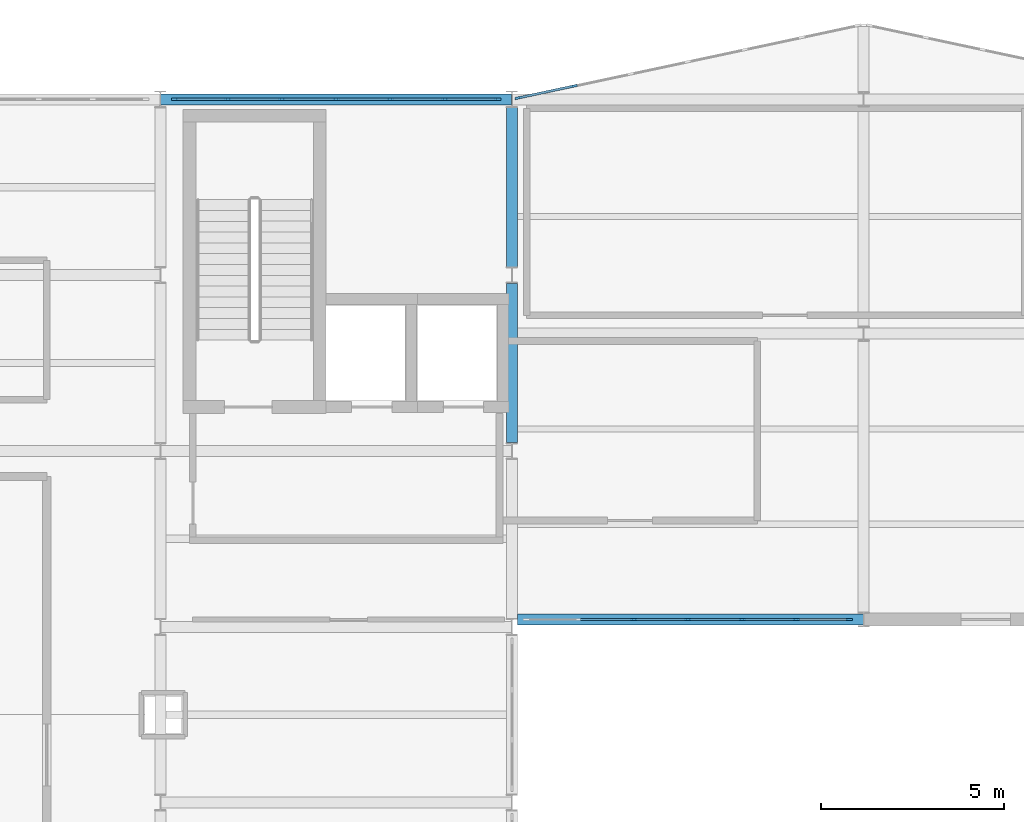
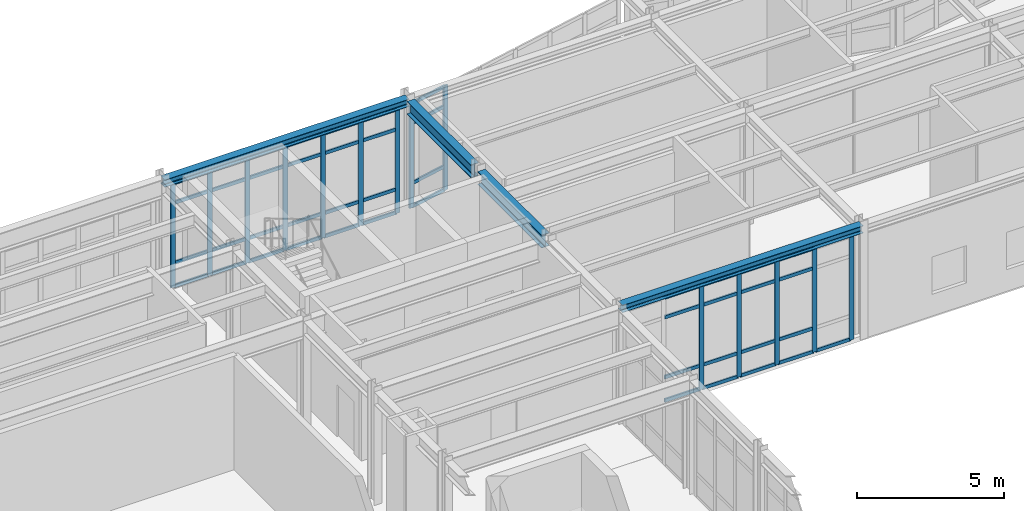
# One storey, part 9 of 28: 59 members, 4 beams, 3 elements without a shape of their own.
"""IFC4 building model written with IfcOpenShell, lengths in metres."""

import ifcopenshell
import ifcopenshell.guid

model = None  # the IFC model being written
_history = None  # IfcOwnerHistory: only IFC2X3 demands one
_inside = {}  # id of a spatial element -> (the spatial element, [elements in it])
_under = {}  # id of a project, library or spatial element -> (it, [spatial elements below it])
_declared = {}  # id of a project -> (the project, [libraries it declares])
_typed = {}  # id of a type object -> (the type object, [elements of that type])
_made_of = {}  # id of a material, layer set ... -> (it, [elements and type objects made of it])


def new_model(schema):
    """Start an empty IFC model of exactly this schema.

    Asked for "IFC4X3", IfcOpenShell would pick the latest addendum, in which some entities
    have other attributes; the version numbers below select the first issue.
    IFC2X3 requires an IfcOwnerHistory on every rooted entity: one is made here for all.
    """
    global model, _history
    if schema == "IFC4X3":
        model = ifcopenshell.file(schema_version=(4, 3, 0, 0))
    else:
        model = ifcopenshell.file(schema=schema)
    _inside.clear()
    _under.clear()
    _declared.clear()
    _typed.clear()
    _made_of.clear()
    _history = None
    if model.schema == "IFC2X3":
        org = make("IfcOrganization", Name="unknown")
        user = make(
            "IfcPersonAndOrganization",
            ThePerson=make("IfcPerson", FamilyName="unknown"),
            TheOrganization=org,
        )
        app = make(
            "IfcApplication",
            ApplicationDeveloper=org,
            Version="unknown",
            ApplicationFullName="unknown",
            ApplicationIdentifier="unknown",
        )
        _history = make(
            "IfcOwnerHistory",
            OwningUser=user,
            OwningApplication=app,
            ChangeAction="ADDED",
            CreationDate=0,
        )
    return model


def make(cls, **values):
    """One entity of the class cls with the attributes given. An attribute that is None is left unset."""
    return model.create_entity(
        cls, **{name: value for name, value in values.items() if value is not None}
    )


def rooted(cls, **values):
    """An entity with a GlobalId (a new one), such as an element, a storey or a relation."""
    return make(cls, GlobalId=ifcopenshell.guid.new(), OwnerHistory=_history, **values)


def si_unit(unit_type, name, prefix=None):
    """IfcSIUnit, for example si_unit("LENGTHUNIT", "METRE", prefix="MILLI")."""
    return make("IfcSIUnit", UnitType=unit_type, Prefix=prefix, Name=name)


def assignment(units):
    """IfcUnitAssignment: the units of a project."""
    return None if units is None else make("IfcUnitAssignment", Units=units)


def point(xyz):
    """IfcCartesianPoint."""
    return None if xyz is None else make("IfcCartesianPoint", Coordinates=xyz)


def direction(xyz):
    """IfcDirection."""
    return None if xyz is None else make("IfcDirection", DirectionRatios=xyz)


def frame(location, z_axis=None, x_axis=None):
    """IfcAxis2Placement3D, a coordinate frame: its origin and axes. An axis left out is left unset."""
    return make(
        "IfcAxis2Placement3D",
        Location=point(location),
        Axis=direction(z_axis),
        RefDirection=direction(x_axis),
    )


def frame_2d(location, x_axis=None):
    """IfcAxis2Placement2D, a coordinate frame in the plane: its origin and x axis."""
    return make(
        "IfcAxis2Placement2D", Location=point(location), RefDirection=direction(x_axis)
    )


def origin():
    """The frame at (0, 0, 0) with its axes left unset."""
    return frame((0.0, 0.0, 0.0))


def origin_2d():
    """The frame at (0, 0) in the plane with its x axis left unset."""
    return frame_2d((0.0, 0.0))


def place(relative_to, where):
    """IfcLocalPlacement: puts the frame where relative to a parent placement (None: the world)."""
    return make(
        "IfcLocalPlacement", PlacementRelTo=relative_to, RelativePlacement=where
    )


def context(
    kind, dimensions, precision=None, world=None, true_north=None, identifier=None
):
    """IfcGeometricRepresentationContext, for example the 3D "Model" context."""
    return make(
        "IfcGeometricRepresentationContext",
        ContextIdentifier=identifier,
        ContextType=kind,
        CoordinateSpaceDimension=dimensions,
        Precision=precision,
        WorldCoordinateSystem=world,
        TrueNorth=true_north,
    )


def subcontext(parent, identifier, kind, view, scale=None):
    """IfcGeometricRepresentationSubContext, for example "Body" below "Model"."""
    return make(
        "IfcGeometricRepresentationSubContext",
        ContextIdentifier=identifier,
        ContextType=kind,
        ParentContext=parent,
        TargetScale=scale,
        TargetView=view,
    )


def project(units=None, contexts=None):
    """IfcProject with its units and contexts."""
    return rooted(
        "IfcProject",
        Name="project",
        RepresentationContexts=contexts,
        UnitsInContext=assignment(units),
    )


def spatial(cls, under=None, at=None, **own):
    """A site, building, storey or space (cls), placed at a placement, below another one or the project."""
    s = rooted(cls, ObjectPlacement=at, **own)
    if under is not None:
        _under.setdefault(under.id(), (under, []))[1].append(s)
    return s


def profile(cls, at=None, kind="AREA", **sizes):
    """A parametric profile (cls). Its sizes go by their IFC names, for example OverallWidth=200.0."""
    return make(cls, ProfileType=kind, Position=at, **sizes)


def rectangle(**sizes):
    """IfcRectangleProfileDef."""
    return profile("IfcRectangleProfileDef", **sizes)


def i_section(**sizes):
    """IfcIShapeProfileDef."""
    return profile("IfcIShapeProfileDef", **sizes)


def extrude(swept, where, along, depth):
    """IfcExtrudedAreaSolid: the profile swept, set in the frame where, extruded along a direction by depth."""
    return make(
        "IfcExtrudedAreaSolid",
        SweptArea=swept,
        Position=where,
        ExtrudedDirection=direction(along),
        Depth=depth,
    )


def shape(context_of_items, identifier, shape_type, items):
    """IfcShapeRepresentation: the items that make up one representation, for example the "Body"."""
    return make(
        "IfcShapeRepresentation",
        ContextOfItems=context_of_items,
        RepresentationIdentifier=identifier,
        RepresentationType=shape_type,
        Items=items,
    )


def material(Name=None, Category=None):
    """IfcMaterial."""
    return make("IfcMaterial", Name=Name, Category=Category)


def layer(
    of_material, thickness, ventilated=None, Name=None, Category=None, Priority=None
):
    """IfcMaterialLayer: one layer of a wall or slab, of a material (None: an air gap)."""
    return make(
        "IfcMaterialLayer",
        Material=of_material,
        LayerThickness=thickness,
        IsVentilated=ventilated,
        Name=Name,
        Category=Category,
        Priority=Priority,
    )


def layer_set(layers, Name=None):
    """IfcMaterialLayerSet."""
    return make("IfcMaterialLayerSet", MaterialLayers=layers, LayerSetName=Name)


def material_profile(
    of_material, cross_section, Name=None, Category=None, Priority=None
):
    """IfcMaterialProfile: a cross section and its material."""
    return make(
        "IfcMaterialProfile",
        Name=Name,
        Material=of_material,
        Profile=cross_section,
        Priority=Priority,
        Category=Category,
    )


def profile_set(profiles, Name=None, composite=None):
    """IfcMaterialProfileSet."""
    return make(
        "IfcMaterialProfileSet",
        Name=Name,
        MaterialProfiles=profiles,
        CompositeProfile=composite,
    )


def made_of(thing, what):
    """Note that an element or type object is made of a material, layer set ...; save() writes the relation."""
    if what is not None:
        _made_of.setdefault(what.id(), (what, []))[1].append(thing)
    return thing


def type_object(cls, material=None, **own):
    """A type object (cls), such as IfcWallType, which elements share."""
    return made_of(rooted(cls, **own), material)


def element(
    cls,
    number,
    at=None,
    inside=None,
    cuts=None,
    type_object=None,
    material=None,
    context=None,
    identifier="Body",
    shape_type=None,
    held_by="IfcProductDefinitionShape",
    body=None,
    shapes=None,
    **own,
):
    """One element of the class cls, such as IfcWall. Its Tag is "e" and its number.

    at: its placement. inside: the storey or other place that contains it. cuts: it is an
    opening in that element (IfcRelVoidsElement). A single representation is given by context,
    identifier, shape_type and body (its items); several are given by shapes. held_by: the class
    of the entity that holds the representations. save() writes the other relations.
    """
    e = rooted(cls, Tag="e%d" % number, ObjectPlacement=at, **own)
    if body is not None:
        shapes = [shape(context, identifier, shape_type, body)]
    if shapes is not None:
        e.Representation = make(held_by, Representations=shapes)
    if inside is not None:
        _inside.setdefault(inside.id(), (inside, []))[1].append(e)
    if cuts is not None:
        rooted(
            "IfcRelVoidsElement", RelatingBuildingElement=cuts, RelatedOpeningElement=e
        )
    if type_object is not None:
        _typed.setdefault(type_object.id(), (type_object, []))[1].append(e)
    return made_of(e, material)


def aggregate(whole, parts):
    """IfcRelAggregates: a whole, such as a stair, and the parts it consists of."""
    return rooted("IfcRelAggregates", RelatingObject=whole, RelatedObjects=parts)


def save(model, path):
    """Write the relations noted so far, then the file.

    IfcRelAggregates (storeys below a building ...), IfcRelContainedInSpatialStructure (elements
    in a storey), IfcRelDefinesByType, IfcRelAssociatesMaterial and IfcRelDeclares: one each for
    every whole, place, type object, material and project.
    """
    for whole, parts in _under.values():
        aggregate(whole, parts)
    for where, things in _inside.values():
        rooted(
            "IfcRelContainedInSpatialStructure",
            RelatedElements=things,
            RelatingStructure=where,
        )
    for kind, things in _typed.values():
        rooted("IfcRelDefinesByType", RelatedObjects=things, RelatingType=kind)
    for what, things in _made_of.values():
        rooted("IfcRelAssociatesMaterial", RelatedObjects=things, RelatingMaterial=what)
    for by, libraries in _declared.values():
        rooted("IfcRelDeclares", RelatingContext=by, RelatedDefinitions=libraries)
    model.write(path)


model = new_model("IFC4")

# Units and contexts
model_context = context("Model", 3, precision=1e-05, world=origin(), true_north=direction((0.0, 1.0)))
body_context = subcontext(model_context, "Body", "Model", "MODEL_VIEW")
ifc_project = project(units=[si_unit("LENGTHUNIT", "METRE"), si_unit("AREAUNIT", "SQUARE_METRE"), si_unit("VOLUMEUNIT", "CUBIC_METRE"), si_unit("PLANEANGLEUNIT", "RADIAN"), si_unit("MASSUNIT", "GRAM", prefix="KILO")], contexts=[model_context])

# Site, building, storey
site_placement = place(None, origin())
site = spatial("IfcSite", under=ifc_project, at=site_placement, CompositionType="ELEMENT")
building_placement = place(site_placement, origin())
building = spatial("IfcBuilding", under=site, at=building_placement, Name="Nordkorset Police Headquarters", CompositionType="ELEMENT")
storey_placement = place(building_placement, frame((0.0, 0.0, 26.25)))
storey = spatial("IfcBuildingStorey", under=building, at=storey_placement, Name="L06", CompositionType="ELEMENT", Elevation=26.25)

# Curtain wall, members
ifc_material_1 = material(Name="Aluminium alloy AW-6060", Category="aluminium")
ifc_layer_1 = layer(ifc_material_1, 0.179931640625, Name="Aluminium alloy AW-6060")
ifc_layer_set_1 = layer_set([ifc_layer_1], Name="Aluminium alloy AW-6060")
curtain_wall_type_1 = type_object("IfcCurtainWallType", Name="CW_Unit_888x434", PredefinedType="USERDEFINED", material=ifc_layer_set_1)
curtain_wall_1_placement = place(storey_placement, origin())
curtain_wall_1 = element("IfcCurtainWall", 1, at=curtain_wall_1_placement, inside=storey, type_object=curtain_wall_type_1, Name="Unitised Curtain Wall L06 V1N-2", ObjectType="UNITISED CURTAIN WALL", PredefinedType="USERDEFINED")
ifc_material_2 = material(Name="Aluminium alloy AW-6060", Category="aluminium")
ifc_material_profile_1 = material_profile(ifc_material_2, rectangle(XDim=0.06494140625, YDim=0.179931640625, at=origin_2d()), Name="ALU MULL 65x180")
ifc_profile_set_1 = profile_set([ifc_material_profile_1], Name="Aluminium alloy AW-6060")
member_type_1 = type_object("IfcMemberType", Name="CW_Mullion_65x180", PredefinedType="MULLION", material=ifc_profile_set_1)
member_1_placement = place(storey_placement, frame((19.592529296875, 116.800048828125, 0.0), z_axis=(0.0, 0.0, 1.0), x_axis=(0.0, 1.0, 0.0)))
member_1 = element("IfcMember", 2, at=member_1_placement, type_object=member_type_1, Name="CW-74 mullion 1", PredefinedType="MULLION", context=body_context, shape_type="SweptSolid", body=[
    extrude(rectangle(XDim=0.06494140625, YDim=0.179931640625, at=origin_2d()), origin(), (0.0, 0.0, 1.0), 4.3349609375),
])
member_2_placement = place(storey_placement, frame((21.0400390625, 116.800048828125, 0.0), z_axis=(0.0, 0.0, 1.0), x_axis=(0.0, 1.0, 0.0)))
member_2 = element("IfcMember", 3, at=member_2_placement, type_object=member_type_1, Name="CW-74 mullion 2", PredefinedType="MULLION", context=body_context, shape_type="SweptSolid", body=[
    extrude(rectangle(XDim=0.06494140625, YDim=0.179931640625, at=origin_2d()), origin(), (0.0, 0.0, 1.0), 4.3349609375),
])
member_3_placement = place(storey_placement, frame((22.52001953125, 116.800048828125, 0.0), z_axis=(0.0, 0.0, 1.0), x_axis=(0.0, 1.0, 0.0)))
member_3 = element("IfcMember", 4, at=member_3_placement, type_object=member_type_1, Name="CW-74 mullion 3", PredefinedType="MULLION", context=body_context, shape_type="SweptSolid", body=[
    extrude(rectangle(XDim=0.06494140625, YDim=0.179931640625, at=origin_2d()), origin(), (0.0, 0.0, 1.0), 4.3349609375),
])
member_4_placement = place(storey_placement, frame((24.0, 116.800048828125, 0.0), z_axis=(0.0, 0.0, 1.0), x_axis=(0.0, 1.0, 0.0)))
member_4 = element("IfcMember", 5, at=member_4_placement, type_object=member_type_1, Name="CW-74 mullion 4", PredefinedType="MULLION", context=body_context, shape_type="SweptSolid", body=[
    extrude(rectangle(XDim=0.06494140625, YDim=0.179931640625, at=origin_2d()), origin(), (0.0, 0.0, 1.0), 4.3349609375),
])
member_5_placement = place(storey_placement, frame((25.47998046875, 116.800048828125, 0.0), z_axis=(0.0, 0.0, 1.0), x_axis=(0.0, 1.0, 0.0)))
member_5 = element("IfcMember", 6, at=member_5_placement, type_object=member_type_1, Name="CW-74 mullion 5", PredefinedType="MULLION", context=body_context, shape_type="SweptSolid", body=[
    extrude(rectangle(XDim=0.06494140625, YDim=0.179931640625, at=origin_2d()), origin(), (0.0, 0.0, 1.0), 4.3349609375),
])
member_6_placement = place(storey_placement, frame((26.9599609375, 116.800048828125, 0.0), z_axis=(0.0, 0.0, 1.0), x_axis=(0.0, 1.0, 0.0)))
member_6 = element("IfcMember", 7, at=member_6_placement, type_object=member_type_1, Name="CW-74 mullion 6", PredefinedType="MULLION", context=body_context, shape_type="SweptSolid", body=[
    extrude(rectangle(XDim=0.06494140625, YDim=0.179931640625, at=origin_2d()), origin(), (0.0, 0.0, 1.0), 4.3349609375),
])
member_7_placement = place(storey_placement, frame((28.407470703125, 116.800048828125, 0.0), z_axis=(0.0, 0.0, 1.0), x_axis=(0.0, 1.0, 0.0)))
member_7 = element("IfcMember", 8, at=member_7_placement, type_object=member_type_1, Name="CW-74 mullion 7", PredefinedType="MULLION", context=body_context, shape_type="SweptSolid", body=[
    extrude(rectangle(XDim=0.06494140625, YDim=0.179931640625, at=origin_2d()), origin(), (0.0, 0.0, 1.0), 4.3349609375),
])

ifc_material_3 = material(Name="Aluminium alloy AW-6060", Category="aluminium")
ifc_layer_2 = layer(ifc_material_3, 0.179931640625, Name="Aluminium alloy AW-6060")
ifc_layer_set_2 = layer_set([ifc_layer_2], Name="Aluminium alloy AW-6060")
curtain_wall_type_2 = type_object("IfcCurtainWallType", Name="CW_Unit_954x434", PredefinedType="USERDEFINED", material=ifc_layer_set_2)
curtain_wall_2_placement = place(storey_placement, origin())
curtain_wall_2 = element("IfcCurtainWall", 9, at=curtain_wall_2_placement, inside=storey, type_object=curtain_wall_type_2, Name="Unitised Curtain Wall L06 V2N-0", ObjectType="UNITISED CURTAIN WALL", PredefinedType="USERDEFINED")
member_8_placement = place(storey_placement, frame((28.96875, 116.8359375, 0.0), z_axis=(0.0, 0.0, 1.0), x_axis=(-0.208832534289, 0.977951416289, 0.0)))
member_8 = element("IfcMember", 10, at=member_8_placement, type_object=member_type_1, Name="CW-77 mullion 1", PredefinedType="MULLION", context=body_context, shape_type="SweptSolid", body=[
    extrude(rectangle(XDim=0.06494140625, YDim=0.179931640625, at=origin_2d()), origin(), (0.0, 0.0, 1.0), 4.3349609375),
])
member_9_placement = place(storey_placement, frame((30.4912109375, 117.1611328125, 0.0), z_axis=(0.0, 0.0, 1.0), x_axis=(-0.208832534289, 0.977951416289, 0.0)))
member_9 = element("IfcMember", 11, at=member_9_placement, type_object=member_type_1, Name="CW-77 mullion 2", PredefinedType="MULLION", context=body_context, shape_type="SweptSolid", body=[
    extrude(rectangle(XDim=0.06494140625, YDim=0.179931640625, at=origin_2d()), origin(), (0.0, 0.0, 1.0), 4.3349609375),
])

curtain_wall_3_placement = place(storey_placement, origin())
curtain_wall_3 = element("IfcCurtainWall", 12, at=curtain_wall_3_placement, inside=storey, type_object=curtain_wall_type_1, Name="Unitised Curtain Wall L06 V2S-0", ObjectType="UNITISED CURTAIN WALL", PredefinedType="USERDEFINED")
member_10_placement = place(storey_placement, frame((32.1201171875, 102.60009765625, 0.0), z_axis=(0.0, 0.0, 1.0), x_axis=(0.0, 1.0, 0.0)))
member_10 = element("IfcMember", 13, at=member_10_placement, type_object=member_type_1, Name="CW-74 mullion 3", PredefinedType="MULLION", context=body_context, shape_type="SweptSolid", body=[
    extrude(rectangle(XDim=0.06494140625, YDim=0.179931640625, at=origin_2d()), origin(), (0.0, 0.0, 1.0), 4.3349609375),
])
member_11_placement = place(storey_placement, frame((33.60009765625, 102.60009765625, 0.0), z_axis=(0.0, 0.0, 1.0), x_axis=(0.0, 1.0, 0.0)))
member_11 = element("IfcMember", 14, at=member_11_placement, type_object=member_type_1, Name="CW-74 mullion 4", PredefinedType="MULLION", context=body_context, shape_type="SweptSolid", body=[
    extrude(rectangle(XDim=0.06494140625, YDim=0.179931640625, at=origin_2d()), origin(), (0.0, 0.0, 1.0), 4.3349609375),
])
member_12_placement = place(storey_placement, frame((35.080078125, 102.60009765625, 0.0), z_axis=(0.0, 0.0, 1.0), x_axis=(0.0, 1.0, 0.0)))
member_12 = element("IfcMember", 15, at=member_12_placement, type_object=member_type_1, Name="CW-74 mullion 5", PredefinedType="MULLION", context=body_context, shape_type="SweptSolid", body=[
    extrude(rectangle(XDim=0.06494140625, YDim=0.179931640625, at=origin_2d()), origin(), (0.0, 0.0, 1.0), 4.3349609375),
])
member_13_placement = place(storey_placement, frame((36.56005859375, 102.60009765625, 0.0), z_axis=(0.0, 0.0, 1.0), x_axis=(0.0, 1.0, 0.0)))
member_13 = element("IfcMember", 16, at=member_13_placement, type_object=member_type_1, Name="CW-74 mullion 6", PredefinedType="MULLION", context=body_context, shape_type="SweptSolid", body=[
    extrude(rectangle(XDim=0.06494140625, YDim=0.179931640625, at=origin_2d()), origin(), (0.0, 0.0, 1.0), 4.3349609375),
])
member_14_placement = place(storey_placement, frame((38.007568359375, 102.60009765625, 0.0), z_axis=(0.0, 0.0, 1.0), x_axis=(0.0, 1.0, 0.0)))
member_14 = element("IfcMember", 17, at=member_14_placement, type_object=member_type_1, Name="CW-74 mullion 7", PredefinedType="MULLION", context=body_context, shape_type="SweptSolid", body=[
    extrude(rectangle(XDim=0.06494140625, YDim=0.179931640625, at=origin_2d()), origin(), (0.0, 0.0, 1.0), 4.3349609375),
])

# Member
ifc_material_4 = material(Name="Aluminium alloy AW-6060", Category="aluminium")
ifc_material_profile_2 = material_profile(ifc_material_4, rectangle(XDim=0.06494140625, YDim=0.139892578125, at=origin_2d()), Name="ALU TRAN 65x140")
ifc_profile_set_2 = profile_set([ifc_material_profile_2], Name="Aluminium alloy AW-6060")
member_type_2 = type_object("IfcMemberType", Name="CW_Transom_65x140", PredefinedType="USERDEFINED", material=ifc_profile_set_2)
member_15_placement = place(storey_placement, frame((19.625, 116.800048828125, 0.032470703125), z_axis=(1.0, 0.0, 0.0), x_axis=(0.0, 1.0, 0.0)))
member_15 = element("IfcMember", 18, at=member_15_placement, type_object=member_type_2, Name="CW-74 transom 1.1", ObjectType="TRANSOM", PredefinedType="USERDEFINED", context=body_context, shape_type="SweptSolid", body=[
    extrude(rectangle(XDim=0.06494140625, YDim=0.139892578125, at=origin_2d()), origin(), (0.0, 0.0, 1.0), 1.382568359375),
])

member_16_placement = place(storey_placement, frame((19.625, 116.800048828125, 1.0), z_axis=(1.0, 0.0, 0.0), x_axis=(0.0, 1.0, 0.0)))
member_16 = element("IfcMember", 19, at=member_16_placement, type_object=member_type_2, Name="CW-74 transom 1.2", ObjectType="TRANSOM", PredefinedType="USERDEFINED", context=body_context, shape_type="SweptSolid", body=[
    extrude(rectangle(XDim=0.06494140625, YDim=0.139892578125, at=origin_2d()), origin(), (0.0, 0.0, 1.0), 1.382568359375),
])

member_17_placement = place(storey_placement, frame((19.625, 116.800048828125, 3.485107421875), z_axis=(1.0, 0.0, 0.0), x_axis=(0.0, 1.0, 0.0)))
member_17 = element("IfcMember", 20, at=member_17_placement, type_object=member_type_2, Name="CW-74 transom 1.3", ObjectType="TRANSOM", PredefinedType="USERDEFINED", context=body_context, shape_type="SweptSolid", body=[
    extrude(rectangle(XDim=0.06494140625, YDim=0.139892578125, at=origin_2d()), origin(), (0.0, 0.0, 1.0), 1.382568359375),
])

member_18_placement = place(storey_placement, frame((19.625, 116.800048828125, 4.302490234375), z_axis=(1.0, 0.0, 0.0), x_axis=(0.0, 1.0, 0.0)))
member_18 = element("IfcMember", 21, at=member_18_placement, type_object=member_type_2, Name="CW-74 transom 1.4", ObjectType="TRANSOM", PredefinedType="USERDEFINED", context=body_context, shape_type="SweptSolid", body=[
    extrude(rectangle(XDim=0.06494140625, YDim=0.139892578125, at=origin_2d()), origin(), (0.0, 0.0, 1.0), 1.382568359375),
])

member_19_placement = place(storey_placement, frame((21.072509765625, 116.800048828125, 0.032470703125), z_axis=(1.0, 0.0, 0.0), x_axis=(0.0, 1.0, 0.0)))
member_19 = element("IfcMember", 22, at=member_19_placement, type_object=member_type_2, Name="CW-74 transom 2.1", ObjectType="TRANSOM", PredefinedType="USERDEFINED", context=body_context, shape_type="SweptSolid", body=[
    extrude(rectangle(XDim=0.06494140625, YDim=0.139892578125, at=origin_2d()), origin(), (0.0, 0.0, 1.0), 1.4150390625),
])

member_20_placement = place(storey_placement, frame((21.072509765625, 116.800048828125, 1.0), z_axis=(1.0, 0.0, 0.0), x_axis=(0.0, 1.0, 0.0)))
member_20 = element("IfcMember", 23, at=member_20_placement, type_object=member_type_2, Name="CW-74 transom 2.2", ObjectType="TRANSOM", PredefinedType="USERDEFINED", context=body_context, shape_type="SweptSolid", body=[
    extrude(rectangle(XDim=0.06494140625, YDim=0.139892578125, at=origin_2d()), origin(), (0.0, 0.0, 1.0), 1.4150390625),
])

member_21_placement = place(storey_placement, frame((21.072509765625, 116.800048828125, 3.485107421875), z_axis=(1.0, 0.0, 0.0), x_axis=(0.0, 1.0, 0.0)))
member_21 = element("IfcMember", 24, at=member_21_placement, type_object=member_type_2, Name="CW-74 transom 2.3", ObjectType="TRANSOM", PredefinedType="USERDEFINED", context=body_context, shape_type="SweptSolid", body=[
    extrude(rectangle(XDim=0.06494140625, YDim=0.139892578125, at=origin_2d()), origin(), (0.0, 0.0, 1.0), 1.4150390625),
])

member_22_placement = place(storey_placement, frame((21.072509765625, 116.800048828125, 4.302490234375), z_axis=(1.0, 0.0, 0.0), x_axis=(0.0, 1.0, 0.0)))
member_22 = element("IfcMember", 25, at=member_22_placement, type_object=member_type_2, Name="CW-74 transom 2.4", ObjectType="TRANSOM", PredefinedType="USERDEFINED", context=body_context, shape_type="SweptSolid", body=[
    extrude(rectangle(XDim=0.06494140625, YDim=0.139892578125, at=origin_2d()), origin(), (0.0, 0.0, 1.0), 1.4150390625),
])

member_23_placement = place(storey_placement, frame((22.552490234375, 116.800048828125, 0.032470703125), z_axis=(1.0, 0.0, 0.0), x_axis=(0.0, 1.0, 0.0)))
member_23 = element("IfcMember", 26, at=member_23_placement, type_object=member_type_2, Name="CW-74 transom 3.1", ObjectType="TRANSOM", PredefinedType="USERDEFINED", context=body_context, shape_type="SweptSolid", body=[
    extrude(rectangle(XDim=0.06494140625, YDim=0.139892578125, at=origin_2d()), origin(), (0.0, 0.0, 1.0), 1.4150390625),
])

member_24_placement = place(storey_placement, frame((22.552490234375, 116.800048828125, 1.0), z_axis=(1.0, 0.0, 0.0), x_axis=(0.0, 1.0, 0.0)))
member_24 = element("IfcMember", 27, at=member_24_placement, type_object=member_type_2, Name="CW-74 transom 3.2", ObjectType="TRANSOM", PredefinedType="USERDEFINED", context=body_context, shape_type="SweptSolid", body=[
    extrude(rectangle(XDim=0.06494140625, YDim=0.139892578125, at=origin_2d()), origin(), (0.0, 0.0, 1.0), 1.4150390625),
])

member_25_placement = place(storey_placement, frame((22.552490234375, 116.800048828125, 3.485107421875), z_axis=(1.0, 0.0, 0.0), x_axis=(0.0, 1.0, 0.0)))
member_25 = element("IfcMember", 28, at=member_25_placement, type_object=member_type_2, Name="CW-74 transom 3.3", ObjectType="TRANSOM", PredefinedType="USERDEFINED", context=body_context, shape_type="SweptSolid", body=[
    extrude(rectangle(XDim=0.06494140625, YDim=0.139892578125, at=origin_2d()), origin(), (0.0, 0.0, 1.0), 1.4150390625),
])

member_26_placement = place(storey_placement, frame((22.552490234375, 116.800048828125, 4.302490234375), z_axis=(1.0, 0.0, 0.0), x_axis=(0.0, 1.0, 0.0)))
member_26 = element("IfcMember", 29, at=member_26_placement, type_object=member_type_2, Name="CW-74 transom 3.4", ObjectType="TRANSOM", PredefinedType="USERDEFINED", context=body_context, shape_type="SweptSolid", body=[
    extrude(rectangle(XDim=0.06494140625, YDim=0.139892578125, at=origin_2d()), origin(), (0.0, 0.0, 1.0), 1.4150390625),
])

member_27_placement = place(storey_placement, frame((24.032470703125, 116.800048828125, 0.032470703125), z_axis=(1.0, 0.0, 0.0), x_axis=(0.0, 1.0, 0.0)))
member_27 = element("IfcMember", 30, at=member_27_placement, type_object=member_type_2, Name="CW-74 transom 4.1", ObjectType="TRANSOM", PredefinedType="USERDEFINED", context=body_context, shape_type="SweptSolid", body=[
    extrude(rectangle(XDim=0.06494140625, YDim=0.139892578125, at=origin_2d()), origin(), (0.0, 0.0, 1.0), 1.4150390625),
])

member_28_placement = place(storey_placement, frame((24.032470703125, 116.800048828125, 1.0), z_axis=(1.0, 0.0, 0.0), x_axis=(0.0, 1.0, 0.0)))
member_28 = element("IfcMember", 31, at=member_28_placement, type_object=member_type_2, Name="CW-74 transom 4.2", ObjectType="TRANSOM", PredefinedType="USERDEFINED", context=body_context, shape_type="SweptSolid", body=[
    extrude(rectangle(XDim=0.06494140625, YDim=0.139892578125, at=origin_2d()), origin(), (0.0, 0.0, 1.0), 1.4150390625),
])

member_29_placement = place(storey_placement, frame((24.032470703125, 116.800048828125, 3.485107421875), z_axis=(1.0, 0.0, 0.0), x_axis=(0.0, 1.0, 0.0)))
member_29 = element("IfcMember", 32, at=member_29_placement, type_object=member_type_2, Name="CW-74 transom 4.3", ObjectType="TRANSOM", PredefinedType="USERDEFINED", context=body_context, shape_type="SweptSolid", body=[
    extrude(rectangle(XDim=0.06494140625, YDim=0.139892578125, at=origin_2d()), origin(), (0.0, 0.0, 1.0), 1.4150390625),
])

member_30_placement = place(storey_placement, frame((24.032470703125, 116.800048828125, 4.302490234375), z_axis=(1.0, 0.0, 0.0), x_axis=(0.0, 1.0, 0.0)))
member_30 = element("IfcMember", 33, at=member_30_placement, type_object=member_type_2, Name="CW-74 transom 4.4", ObjectType="TRANSOM", PredefinedType="USERDEFINED", context=body_context, shape_type="SweptSolid", body=[
    extrude(rectangle(XDim=0.06494140625, YDim=0.139892578125, at=origin_2d()), origin(), (0.0, 0.0, 1.0), 1.4150390625),
])

member_31_placement = place(storey_placement, frame((25.512451171875, 116.800048828125, 0.032470703125), z_axis=(1.0, 0.0, 0.0), x_axis=(0.0, 1.0, 0.0)))
member_31 = element("IfcMember", 34, at=member_31_placement, type_object=member_type_2, Name="CW-74 transom 5.1", ObjectType="TRANSOM", PredefinedType="USERDEFINED", context=body_context, shape_type="SweptSolid", body=[
    extrude(rectangle(XDim=0.06494140625, YDim=0.139892578125, at=origin_2d()), origin(), (0.0, 0.0, 1.0), 1.4150390625),
])

member_32_placement = place(storey_placement, frame((25.512451171875, 116.800048828125, 1.0), z_axis=(1.0, 0.0, 0.0), x_axis=(0.0, 1.0, 0.0)))
member_32 = element("IfcMember", 35, at=member_32_placement, type_object=member_type_2, Name="CW-74 transom 5.2", ObjectType="TRANSOM", PredefinedType="USERDEFINED", context=body_context, shape_type="SweptSolid", body=[
    extrude(rectangle(XDim=0.06494140625, YDim=0.139892578125, at=origin_2d()), origin(), (0.0, 0.0, 1.0), 1.4150390625),
])

member_33_placement = place(storey_placement, frame((25.512451171875, 116.800048828125, 3.485107421875), z_axis=(1.0, 0.0, 0.0), x_axis=(0.0, 1.0, 0.0)))
member_33 = element("IfcMember", 36, at=member_33_placement, type_object=member_type_2, Name="CW-74 transom 5.3", ObjectType="TRANSOM", PredefinedType="USERDEFINED", context=body_context, shape_type="SweptSolid", body=[
    extrude(rectangle(XDim=0.06494140625, YDim=0.139892578125, at=origin_2d()), origin(), (0.0, 0.0, 1.0), 1.4150390625),
])

member_34_placement = place(storey_placement, frame((25.512451171875, 116.800048828125, 4.302490234375), z_axis=(1.0, 0.0, 0.0), x_axis=(0.0, 1.0, 0.0)))
member_34 = element("IfcMember", 37, at=member_34_placement, type_object=member_type_2, Name="CW-74 transom 5.4", ObjectType="TRANSOM", PredefinedType="USERDEFINED", context=body_context, shape_type="SweptSolid", body=[
    extrude(rectangle(XDim=0.06494140625, YDim=0.139892578125, at=origin_2d()), origin(), (0.0, 0.0, 1.0), 1.4150390625),
])

member_35_placement = place(storey_placement, frame((26.992431640625, 116.800048828125, 0.032470703125), z_axis=(1.0, 0.0, 0.0), x_axis=(0.0, 1.0, 0.0)))
member_35 = element("IfcMember", 38, at=member_35_placement, type_object=member_type_2, Name="CW-74 transom 6.1", ObjectType="TRANSOM", PredefinedType="USERDEFINED", context=body_context, shape_type="SweptSolid", body=[
    extrude(rectangle(XDim=0.06494140625, YDim=0.139892578125, at=origin_2d()), origin(), (0.0, 0.0, 1.0), 1.382568359375),
])

member_36_placement = place(storey_placement, frame((26.992431640625, 116.800048828125, 1.0), z_axis=(1.0, 0.0, 0.0), x_axis=(0.0, 1.0, 0.0)))
member_36 = element("IfcMember", 39, at=member_36_placement, type_object=member_type_2, Name="CW-74 transom 6.2", ObjectType="TRANSOM", PredefinedType="USERDEFINED", context=body_context, shape_type="SweptSolid", body=[
    extrude(rectangle(XDim=0.06494140625, YDim=0.139892578125, at=origin_2d()), origin(), (0.0, 0.0, 1.0), 1.382568359375),
])

member_37_placement = place(storey_placement, frame((26.992431640625, 116.800048828125, 3.485107421875), z_axis=(1.0, 0.0, 0.0), x_axis=(0.0, 1.0, 0.0)))
member_37 = element("IfcMember", 40, at=member_37_placement, type_object=member_type_2, Name="CW-74 transom 6.3", ObjectType="TRANSOM", PredefinedType="USERDEFINED", context=body_context, shape_type="SweptSolid", body=[
    extrude(rectangle(XDim=0.06494140625, YDim=0.139892578125, at=origin_2d()), origin(), (0.0, 0.0, 1.0), 1.382568359375),
])

member_38_placement = place(storey_placement, frame((26.992431640625, 116.800048828125, 4.302490234375), z_axis=(1.0, 0.0, 0.0), x_axis=(0.0, 1.0, 0.0)))
member_38 = element("IfcMember", 41, at=member_38_placement, type_object=member_type_2, Name="CW-74 transom 6.4", ObjectType="TRANSOM", PredefinedType="USERDEFINED", context=body_context, shape_type="SweptSolid", body=[
    extrude(rectangle(XDim=0.06494140625, YDim=0.139892578125, at=origin_2d()), origin(), (0.0, 0.0, 1.0), 1.382568359375),
])

aggregate(curtain_wall_1, [member_1, member_2, member_3, member_4, member_5, member_6, member_7, member_15, member_16, member_17, member_18, member_19, member_20, member_21, member_22, member_23, member_24, member_25, member_26, member_27, member_28, member_29, member_30, member_31, member_32, member_33, member_34, member_35, member_36, member_37, member_38])

member_39_placement = place(storey_placement, frame((29.00048828125, 116.8427734375, 0.032470703125), z_axis=(0.977955422008, 0.208813774846, 0.0), x_axis=(-0.208813774846, 0.977955422008, 0.0)))
member_39 = element("IfcMember", 42, at=member_39_placement, type_object=member_type_2, Name="CW-77 transom 1.1", ObjectType="TRANSOM", PredefinedType="USERDEFINED", context=body_context, shape_type="SweptSolid", body=[
    extrude(rectangle(XDim=0.06494140625, YDim=0.139892578125, at=origin_2d()), origin(), (0.0, 0.0, 1.0), 1.491943359375),
])

member_40_placement = place(storey_placement, frame((29.00048828125, 116.8427734375, 1.0), z_axis=(0.977955422008, 0.208813774846, 0.0), x_axis=(-0.208813774846, 0.977955422008, 0.0)))
member_40 = element("IfcMember", 43, at=member_40_placement, type_object=member_type_2, Name="CW-77 transom 1.2", ObjectType="TRANSOM", PredefinedType="USERDEFINED", context=body_context, shape_type="SweptSolid", body=[
    extrude(rectangle(XDim=0.06494140625, YDim=0.139892578125, at=origin_2d()), origin(), (0.0, 0.0, 1.0), 1.491943359375),
])

member_41_placement = place(storey_placement, frame((29.00048828125, 116.8427734375, 3.485107421875), z_axis=(0.977955422008, 0.208813774846, 0.0), x_axis=(-0.208813774846, 0.977955422008, 0.0)))
member_41 = element("IfcMember", 44, at=member_41_placement, type_object=member_type_2, Name="CW-77 transom 1.3", ObjectType="TRANSOM", PredefinedType="USERDEFINED", context=body_context, shape_type="SweptSolid", body=[
    extrude(rectangle(XDim=0.06494140625, YDim=0.139892578125, at=origin_2d()), origin(), (0.0, 0.0, 1.0), 1.491943359375),
])

member_42_placement = place(storey_placement, frame((29.00048828125, 116.8427734375, 4.302490234375), z_axis=(0.977955422008, 0.208813774846, 0.0), x_axis=(-0.208813774846, 0.977955422008, 0.0)))
member_42 = element("IfcMember", 45, at=member_42_placement, type_object=member_type_2, Name="CW-77 transom 1.4", ObjectType="TRANSOM", PredefinedType="USERDEFINED", context=body_context, shape_type="SweptSolid", body=[
    extrude(rectangle(XDim=0.06494140625, YDim=0.139892578125, at=origin_2d()), origin(), (0.0, 0.0, 1.0), 1.491943359375),
])

aggregate(curtain_wall_2, [member_8, member_9, member_39, member_40, member_41, member_42])

member_43_placement = place(storey_placement, frame((30.672607421875, 102.60009765625, 0.032470703125), z_axis=(1.0, 0.0, 0.0), x_axis=(0.0, 1.0, 0.0)))
member_43 = element("IfcMember", 46, at=member_43_placement, type_object=member_type_2, Name="CW-74 transom 2.1", ObjectType="TRANSOM", PredefinedType="USERDEFINED", context=body_context, shape_type="SweptSolid", body=[
    extrude(rectangle(XDim=0.06494140625, YDim=0.139892578125, at=origin_2d()), origin(), (0.0, 0.0, 1.0), 1.414794921875),
])

member_44_placement = place(storey_placement, frame((30.672607421875, 102.60009765625, 1.0), z_axis=(1.0, 0.0, 0.0), x_axis=(0.0, 1.0, 0.0)))
member_44 = element("IfcMember", 47, at=member_44_placement, type_object=member_type_2, Name="CW-74 transom 2.2", ObjectType="TRANSOM", PredefinedType="USERDEFINED", context=body_context, shape_type="SweptSolid", body=[
    extrude(rectangle(XDim=0.06494140625, YDim=0.139892578125, at=origin_2d()), origin(), (0.0, 0.0, 1.0), 1.414794921875),
])

member_45_placement = place(storey_placement, frame((30.672607421875, 102.60009765625, 3.485107421875), z_axis=(1.0, 0.0, 0.0), x_axis=(0.0, 1.0, 0.0)))
member_45 = element("IfcMember", 48, at=member_45_placement, type_object=member_type_2, Name="CW-74 transom 2.3", ObjectType="TRANSOM", PredefinedType="USERDEFINED", context=body_context, shape_type="SweptSolid", body=[
    extrude(rectangle(XDim=0.06494140625, YDim=0.139892578125, at=origin_2d()), origin(), (0.0, 0.0, 1.0), 1.414794921875),
])

member_46_placement = place(storey_placement, frame((30.672607421875, 102.60009765625, 4.302490234375), z_axis=(1.0, 0.0, 0.0), x_axis=(0.0, 1.0, 0.0)))
member_46 = element("IfcMember", 49, at=member_46_placement, type_object=member_type_2, Name="CW-74 transom 2.4", ObjectType="TRANSOM", PredefinedType="USERDEFINED", context=body_context, shape_type="SweptSolid", body=[
    extrude(rectangle(XDim=0.06494140625, YDim=0.139892578125, at=origin_2d()), origin(), (0.0, 0.0, 1.0), 1.414794921875),
])

member_47_placement = place(storey_placement, frame((32.152587890625, 102.60009765625, 0.032470703125), z_axis=(1.0, 0.0, 0.0), x_axis=(0.0, 1.0, 0.0)))
member_47 = element("IfcMember", 50, at=member_47_placement, type_object=member_type_2, Name="CW-74 transom 3.1", ObjectType="TRANSOM", PredefinedType="USERDEFINED", context=body_context, shape_type="SweptSolid", body=[
    extrude(rectangle(XDim=0.06494140625, YDim=0.139892578125, at=origin_2d()), origin(), (0.0, 0.0, 1.0), 1.414794921875),
])

member_48_placement = place(storey_placement, frame((32.152587890625, 102.60009765625, 1.0), z_axis=(1.0, 0.0, 0.0), x_axis=(0.0, 1.0, 0.0)))
member_48 = element("IfcMember", 51, at=member_48_placement, type_object=member_type_2, Name="CW-74 transom 3.2", ObjectType="TRANSOM", PredefinedType="USERDEFINED", context=body_context, shape_type="SweptSolid", body=[
    extrude(rectangle(XDim=0.06494140625, YDim=0.139892578125, at=origin_2d()), origin(), (0.0, 0.0, 1.0), 1.414794921875),
])

member_49_placement = place(storey_placement, frame((32.152587890625, 102.60009765625, 3.485107421875), z_axis=(1.0, 0.0, 0.0), x_axis=(0.0, 1.0, 0.0)))
member_49 = element("IfcMember", 52, at=member_49_placement, type_object=member_type_2, Name="CW-74 transom 3.3", ObjectType="TRANSOM", PredefinedType="USERDEFINED", context=body_context, shape_type="SweptSolid", body=[
    extrude(rectangle(XDim=0.06494140625, YDim=0.139892578125, at=origin_2d()), origin(), (0.0, 0.0, 1.0), 1.414794921875),
])

member_50_placement = place(storey_placement, frame((32.152587890625, 102.60009765625, 4.302490234375), z_axis=(1.0, 0.0, 0.0), x_axis=(0.0, 1.0, 0.0)))
member_50 = element("IfcMember", 53, at=member_50_placement, type_object=member_type_2, Name="CW-74 transom 3.4", ObjectType="TRANSOM", PredefinedType="USERDEFINED", context=body_context, shape_type="SweptSolid", body=[
    extrude(rectangle(XDim=0.06494140625, YDim=0.139892578125, at=origin_2d()), origin(), (0.0, 0.0, 1.0), 1.414794921875),
])

member_51_placement = place(storey_placement, frame((33.632568359375, 102.60009765625, 0.032470703125), z_axis=(1.0, 0.0, 0.0), x_axis=(0.0, 1.0, 0.0)))
member_51 = element("IfcMember", 54, at=member_51_placement, type_object=member_type_2, Name="CW-74 transom 4.1", ObjectType="TRANSOM", PredefinedType="USERDEFINED", context=body_context, shape_type="SweptSolid", body=[
    extrude(rectangle(XDim=0.06494140625, YDim=0.139892578125, at=origin_2d()), origin(), (0.0, 0.0, 1.0), 1.4150390625),
])

member_52_placement = place(storey_placement, frame((33.632568359375, 102.60009765625, 1.0), z_axis=(1.0, 0.0, 0.0), x_axis=(0.0, 1.0, 0.0)))
member_52 = element("IfcMember", 55, at=member_52_placement, type_object=member_type_2, Name="CW-74 transom 4.2", ObjectType="TRANSOM", PredefinedType="USERDEFINED", context=body_context, shape_type="SweptSolid", body=[
    extrude(rectangle(XDim=0.06494140625, YDim=0.139892578125, at=origin_2d()), origin(), (0.0, 0.0, 1.0), 1.4150390625),
])

member_53_placement = place(storey_placement, frame((33.632568359375, 102.60009765625, 3.485107421875), z_axis=(1.0, 0.0, 0.0), x_axis=(0.0, 1.0, 0.0)))
member_53 = element("IfcMember", 56, at=member_53_placement, type_object=member_type_2, Name="CW-74 transom 4.3", ObjectType="TRANSOM", PredefinedType="USERDEFINED", context=body_context, shape_type="SweptSolid", body=[
    extrude(rectangle(XDim=0.06494140625, YDim=0.139892578125, at=origin_2d()), origin(), (0.0, 0.0, 1.0), 1.4150390625),
])

member_54_placement = place(storey_placement, frame((33.632568359375, 102.60009765625, 4.302490234375), z_axis=(1.0, 0.0, 0.0), x_axis=(0.0, 1.0, 0.0)))
member_54 = element("IfcMember", 57, at=member_54_placement, type_object=member_type_2, Name="CW-74 transom 4.4", ObjectType="TRANSOM", PredefinedType="USERDEFINED", context=body_context, shape_type="SweptSolid", body=[
    extrude(rectangle(XDim=0.06494140625, YDim=0.139892578125, at=origin_2d()), origin(), (0.0, 0.0, 1.0), 1.4150390625),
])

member_55_placement = place(storey_placement, frame((35.112548828125, 102.60009765625, 0.032470703125), z_axis=(1.0, 0.0, 0.0), x_axis=(0.0, 1.0, 0.0)))
member_55 = element("IfcMember", 58, at=member_55_placement, type_object=member_type_2, Name="CW-74 transom 5.1", ObjectType="TRANSOM", PredefinedType="USERDEFINED", context=body_context, shape_type="SweptSolid", body=[
    extrude(rectangle(XDim=0.06494140625, YDim=0.139892578125, at=origin_2d()), origin(), (0.0, 0.0, 1.0), 1.4150390625),
])

member_56_placement = place(storey_placement, frame((35.112548828125, 102.60009765625, 1.0), z_axis=(1.0, 0.0, 0.0), x_axis=(0.0, 1.0, 0.0)))
member_56 = element("IfcMember", 59, at=member_56_placement, type_object=member_type_2, Name="CW-74 transom 5.2", ObjectType="TRANSOM", PredefinedType="USERDEFINED", context=body_context, shape_type="SweptSolid", body=[
    extrude(rectangle(XDim=0.06494140625, YDim=0.139892578125, at=origin_2d()), origin(), (0.0, 0.0, 1.0), 1.4150390625),
])

member_57_placement = place(storey_placement, frame((35.112548828125, 102.60009765625, 3.485107421875), z_axis=(1.0, 0.0, 0.0), x_axis=(0.0, 1.0, 0.0)))
member_57 = element("IfcMember", 60, at=member_57_placement, type_object=member_type_2, Name="CW-74 transom 5.3", ObjectType="TRANSOM", PredefinedType="USERDEFINED", context=body_context, shape_type="SweptSolid", body=[
    extrude(rectangle(XDim=0.06494140625, YDim=0.139892578125, at=origin_2d()), origin(), (0.0, 0.0, 1.0), 1.4150390625),
])

member_58_placement = place(storey_placement, frame((35.112548828125, 102.60009765625, 4.302490234375), z_axis=(1.0, 0.0, 0.0), x_axis=(0.0, 1.0, 0.0)))
member_58 = element("IfcMember", 61, at=member_58_placement, type_object=member_type_2, Name="CW-74 transom 5.4", ObjectType="TRANSOM", PredefinedType="USERDEFINED", context=body_context, shape_type="SweptSolid", body=[
    extrude(rectangle(XDim=0.06494140625, YDim=0.139892578125, at=origin_2d()), origin(), (0.0, 0.0, 1.0), 1.4150390625),
])

member_59_placement = place(storey_placement, frame((36.592529296875, 102.60009765625, 0.032470703125), z_axis=(1.0, 0.0, 0.0), x_axis=(0.0, 1.0, 0.0)))
member_59 = element("IfcMember", 62, at=member_59_placement, type_object=member_type_2, Name="CW-74 transom 6.1", ObjectType="TRANSOM", PredefinedType="USERDEFINED", context=body_context, shape_type="SweptSolid", body=[
    extrude(rectangle(XDim=0.06494140625, YDim=0.139892578125, at=origin_2d()), origin(), (0.0, 0.0, 1.0), 1.382568359375),
])

aggregate(curtain_wall_3, [member_10, member_11, member_12, member_13, member_14, member_43, member_44, member_45, member_46, member_47, member_48, member_49, member_50, member_51, member_52, member_53, member_54, member_55, member_56, member_57, member_58, member_59])

# Beams
ifc_material_5 = material(Name="Steel S355J2", Category="steel")
ifc_material_profile_3 = material_profile(ifc_material_5, i_section(OverallWidth=0.300048828125, OverallDepth=0.5400390625, WebThickness=0.012451171875, FlangeThickness=0.02392578125, FilletRadius=0.027099609375, at=origin_2d()), Name="HEA 550")
ifc_profile_set_3 = profile_set([ifc_material_profile_3], Name="Steel S355J2")
beam_type_1 = type_object("IfcBeamType", Name="Girder_HEA_550", PredefinedType="USERDEFINED", material=ifc_profile_set_3)
for number, where, z_axis, x_axis, name in (
    (63, (28.800048828125, 107.425048828125, 4.39501953125), (0.0, 1.0, 0.0), (-1.0, 0.0, 0.0), "Girder V1 L06 GY-2-5"),
    (64, (28.800048828125, 112.22509765625, 4.39501953125), (0.0, 1.0, 0.0), (-1.0, 0.0, 0.0), "Girder V1 L06 GY-2-6"),
):
    element("IfcBeam", number, at=place(storey_placement, frame(where, z_axis=z_axis, x_axis=x_axis)), inside=storey, type_object=beam_type_1, Name=name, ObjectType="GIRDER", PredefinedType="USERDEFINED", context=body_context, shape_type="SweptSolid", body=[
        extrude(i_section(OverallWidth=0.300048828125, OverallDepth=0.5400390625, WebThickness=0.012451171875, FlangeThickness=0.02392578125, FilletRadius=0.027099609375, at=origin_2d()), origin(), (0.0, 0.0, 1.0), 4.349853515625),
    ])
ifc_material_6 = material(Name="Steel S355J2", Category="steel")
ifc_material_profile_4 = material_profile(ifc_material_6, i_section(OverallWidth=0.300048828125, OverallDepth=0.31005859375, WebThickness=0.009033203125, FlangeThickness=0.015380859375, FilletRadius=0.027099609375, at=origin_2d()), Name="HEA 320")
ifc_profile_set_4 = profile_set([ifc_material_profile_4], Name="Steel S355J2")
beam_type_2 = type_object("IfcBeamType", Name="Spandrel_HEA_320", PredefinedType="SPANDREL", material=ifc_profile_set_4)
beam_1_placement = place(storey_placement, frame((19.20703125, 116.800048828125, 4.510009765625), z_axis=(1.0, 0.0, 0.0), x_axis=(0.0, 1.0, 0.0)))
element("IfcBeam", 65, at=beam_1_placement, inside=storey, type_object=beam_type_2, Name="Girder V1 L06 GX-7-1", PredefinedType="SPANDREL", context=body_context, shape_type="SweptSolid", body=[
    extrude(i_section(OverallWidth=0.300048828125, OverallDepth=0.31005859375, WebThickness=0.009033203125, FlangeThickness=0.015380859375, FilletRadius=0.027099609375, at=origin_2d()), origin(), (0.0, 0.0, 1.0), 9.5859375),
])
beam_2_placement = place(storey_placement, frame((28.949951171875, 102.60009765625, 4.510009765625), z_axis=(1.0, 0.0, 0.0), x_axis=(0.0, 1.0, 0.0)))
element("IfcBeam", 66, at=beam_2_placement, inside=storey, type_object=beam_type_2, Name="Girder V2 L06 GX-0-0", PredefinedType="SPANDREL", context=body_context, shape_type="SweptSolid", body=[
    extrude(i_section(OverallWidth=0.300048828125, OverallDepth=0.31005859375, WebThickness=0.009033203125, FlangeThickness=0.015380859375, FilletRadius=0.027099609375, at=origin_2d()), origin(), (0.0, 0.0, 1.0), 9.443359375),
])

save(model, "model.ifc")
